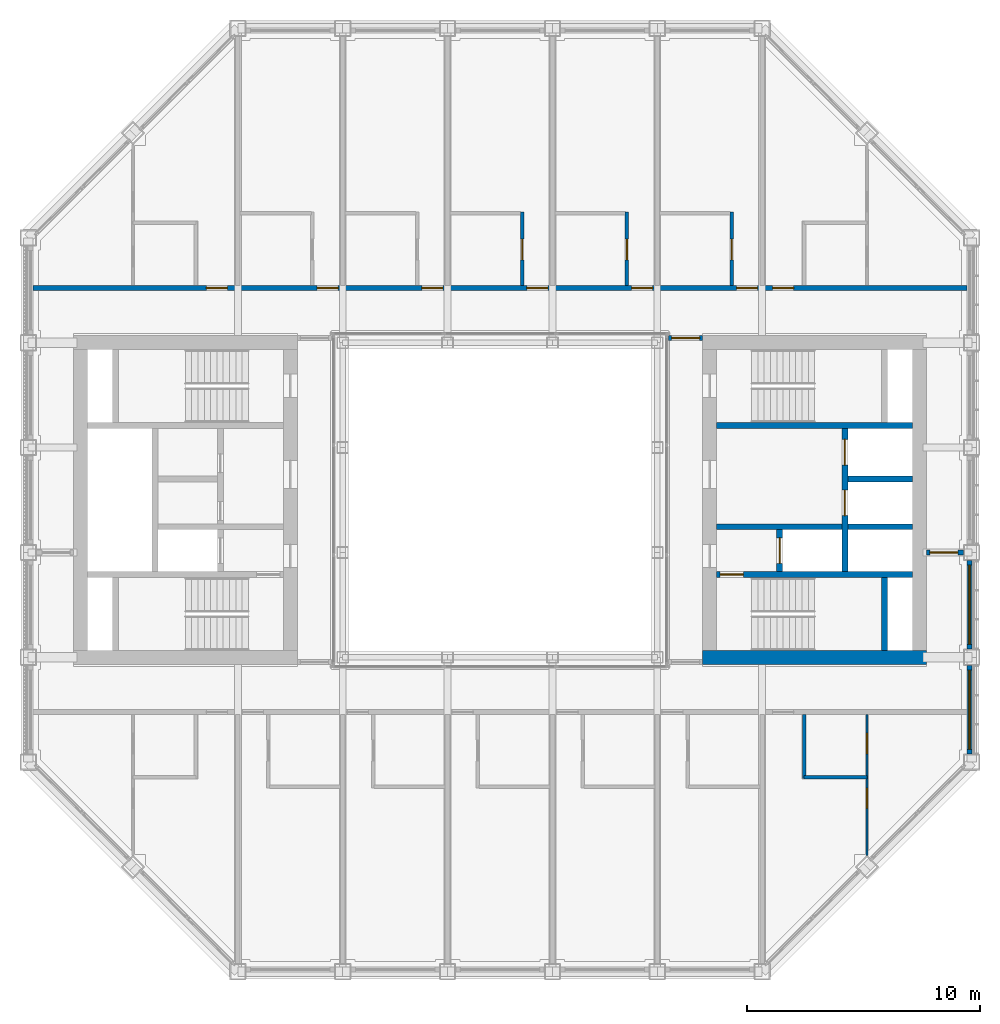
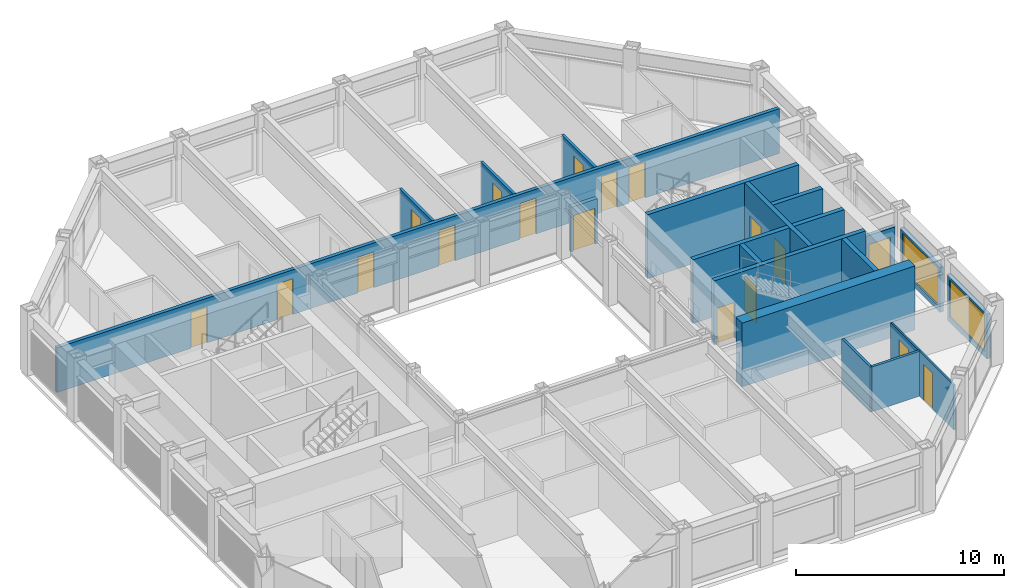
# One storey, part 11 of 18: 20 walls, 18 doors, 2 windows, 20 openings.
"""IFC4 building model written with IfcOpenShell, lengths in metres."""

import ifcopenshell
import ifcopenshell.guid

model = None  # the IFC model being written
_history = None  # IfcOwnerHistory: only IFC2X3 demands one
_inside = {}  # id of a spatial element -> (the spatial element, [elements in it])
_under = {}  # id of a project, library or spatial element -> (it, [spatial elements below it])
_declared = {}  # id of a project -> (the project, [libraries it declares])
_typed = {}  # id of a type object -> (the type object, [elements of that type])
_made_of = {}  # id of a material, layer set ... -> (it, [elements and type objects made of it])


def new_model(schema):
    """Start an empty IFC model of exactly this schema.

    Asked for "IFC4X3", IfcOpenShell would pick the latest addendum, in which some entities
    have other attributes; the version numbers below select the first issue.
    IFC2X3 requires an IfcOwnerHistory on every rooted entity: one is made here for all.
    """
    global model, _history
    if schema == "IFC4X3":
        model = ifcopenshell.file(schema_version=(4, 3, 0, 0))
    else:
        model = ifcopenshell.file(schema=schema)
    _inside.clear()
    _under.clear()
    _declared.clear()
    _typed.clear()
    _made_of.clear()
    _history = None
    if model.schema == "IFC2X3":
        org = make("IfcOrganization", Name="unknown")
        user = make(
            "IfcPersonAndOrganization",
            ThePerson=make("IfcPerson", FamilyName="unknown"),
            TheOrganization=org,
        )
        app = make(
            "IfcApplication",
            ApplicationDeveloper=org,
            Version="unknown",
            ApplicationFullName="unknown",
            ApplicationIdentifier="unknown",
        )
        _history = make(
            "IfcOwnerHistory",
            OwningUser=user,
            OwningApplication=app,
            ChangeAction="ADDED",
            CreationDate=0,
        )
    return model


def make(cls, **values):
    """One entity of the class cls with the attributes given. An attribute that is None is left unset."""
    return model.create_entity(
        cls, **{name: value for name, value in values.items() if value is not None}
    )


def rooted(cls, **values):
    """An entity with a GlobalId (a new one), such as an element, a storey or a relation."""
    return make(cls, GlobalId=ifcopenshell.guid.new(), OwnerHistory=_history, **values)


def si_unit(unit_type, name, prefix=None):
    """IfcSIUnit, for example si_unit("LENGTHUNIT", "METRE", prefix="MILLI")."""
    return make("IfcSIUnit", UnitType=unit_type, Prefix=prefix, Name=name)


def assignment(units):
    """IfcUnitAssignment: the units of a project."""
    return None if units is None else make("IfcUnitAssignment", Units=units)


def point(xyz):
    """IfcCartesianPoint."""
    return None if xyz is None else make("IfcCartesianPoint", Coordinates=xyz)


def direction(xyz):
    """IfcDirection."""
    return None if xyz is None else make("IfcDirection", DirectionRatios=xyz)


def frame(location, z_axis=None, x_axis=None):
    """IfcAxis2Placement3D, a coordinate frame: its origin and axes. An axis left out is left unset."""
    return make(
        "IfcAxis2Placement3D",
        Location=point(location),
        Axis=direction(z_axis),
        RefDirection=direction(x_axis),
    )


def frame_2d(location, x_axis=None):
    """IfcAxis2Placement2D, a coordinate frame in the plane: its origin and x axis."""
    return make(
        "IfcAxis2Placement2D", Location=point(location), RefDirection=direction(x_axis)
    )


def origin():
    """The frame at (0, 0, 0) with its axes left unset."""
    return frame((0.0, 0.0, 0.0))


def place(relative_to, where):
    """IfcLocalPlacement: puts the frame where relative to a parent placement (None: the world)."""
    return make(
        "IfcLocalPlacement", PlacementRelTo=relative_to, RelativePlacement=where
    )


def context(
    kind, dimensions, precision=None, world=None, true_north=None, identifier=None
):
    """IfcGeometricRepresentationContext, for example the 3D "Model" context."""
    return make(
        "IfcGeometricRepresentationContext",
        ContextIdentifier=identifier,
        ContextType=kind,
        CoordinateSpaceDimension=dimensions,
        Precision=precision,
        WorldCoordinateSystem=world,
        TrueNorth=true_north,
    )


def subcontext(parent, identifier, kind, view, scale=None):
    """IfcGeometricRepresentationSubContext, for example "Body" below "Model"."""
    return make(
        "IfcGeometricRepresentationSubContext",
        ContextIdentifier=identifier,
        ContextType=kind,
        ParentContext=parent,
        TargetScale=scale,
        TargetView=view,
    )


def project(units=None, contexts=None):
    """IfcProject with its units and contexts."""
    return rooted(
        "IfcProject",
        Name="project",
        RepresentationContexts=contexts,
        UnitsInContext=assignment(units),
    )


def spatial(cls, under=None, at=None, **own):
    """A site, building, storey or space (cls), placed at a placement, below another one or the project."""
    s = rooted(cls, ObjectPlacement=at, **own)
    if under is not None:
        _under.setdefault(under.id(), (under, []))[1].append(s)
    return s


def profile(cls, at=None, kind="AREA", **sizes):
    """A parametric profile (cls). Its sizes go by their IFC names, for example OverallWidth=200.0."""
    return make(cls, ProfileType=kind, Position=at, **sizes)


def rectangle(**sizes):
    """IfcRectangleProfileDef."""
    return profile("IfcRectangleProfileDef", **sizes)


def extrude(swept, where, along, depth):
    """IfcExtrudedAreaSolid: the profile swept, set in the frame where, extruded along a direction by depth."""
    return make(
        "IfcExtrudedAreaSolid",
        SweptArea=swept,
        Position=where,
        ExtrudedDirection=direction(along),
        Depth=depth,
    )


def shape(context_of_items, identifier, shape_type, items):
    """IfcShapeRepresentation: the items that make up one representation, for example the "Body"."""
    return make(
        "IfcShapeRepresentation",
        ContextOfItems=context_of_items,
        RepresentationIdentifier=identifier,
        RepresentationType=shape_type,
        Items=items,
    )


def material(Name=None, Category=None):
    """IfcMaterial."""
    return make("IfcMaterial", Name=Name, Category=Category)


def layer(
    of_material, thickness, ventilated=None, Name=None, Category=None, Priority=None
):
    """IfcMaterialLayer: one layer of a wall or slab, of a material (None: an air gap)."""
    return make(
        "IfcMaterialLayer",
        Material=of_material,
        LayerThickness=thickness,
        IsVentilated=ventilated,
        Name=Name,
        Category=Category,
        Priority=Priority,
    )


def layer_set(layers, Name=None):
    """IfcMaterialLayerSet."""
    return make("IfcMaterialLayerSet", MaterialLayers=layers, LayerSetName=Name)


def made_of(thing, what):
    """Note that an element or type object is made of a material, layer set ...; save() writes the relation."""
    if what is not None:
        _made_of.setdefault(what.id(), (what, []))[1].append(thing)
    return thing


def type_object(cls, material=None, **own):
    """A type object (cls), such as IfcWallType, which elements share."""
    return made_of(rooted(cls, **own), material)


def element(
    cls,
    number,
    at=None,
    inside=None,
    cuts=None,
    type_object=None,
    material=None,
    context=None,
    identifier="Body",
    shape_type=None,
    held_by="IfcProductDefinitionShape",
    body=None,
    shapes=None,
    **own,
):
    """One element of the class cls, such as IfcWall. Its Tag is "e" and its number.

    at: its placement. inside: the storey or other place that contains it. cuts: it is an
    opening in that element (IfcRelVoidsElement). A single representation is given by context,
    identifier, shape_type and body (its items); several are given by shapes. held_by: the class
    of the entity that holds the representations. save() writes the other relations.
    """
    e = rooted(cls, Tag="e%d" % number, ObjectPlacement=at, **own)
    if body is not None:
        shapes = [shape(context, identifier, shape_type, body)]
    if shapes is not None:
        e.Representation = make(held_by, Representations=shapes)
    if inside is not None:
        _inside.setdefault(inside.id(), (inside, []))[1].append(e)
    if cuts is not None:
        rooted(
            "IfcRelVoidsElement", RelatingBuildingElement=cuts, RelatedOpeningElement=e
        )
    if type_object is not None:
        _typed.setdefault(type_object.id(), (type_object, []))[1].append(e)
    return made_of(e, material)


def fill(opening, filler):
    """IfcRelFillsElement: the door or window that sits in an opening."""
    return rooted(
        "IfcRelFillsElement",
        RelatingOpeningElement=opening,
        RelatedBuildingElement=filler,
    )


def aggregate(whole, parts):
    """IfcRelAggregates: a whole, such as a stair, and the parts it consists of."""
    return rooted("IfcRelAggregates", RelatingObject=whole, RelatedObjects=parts)


def save(model, path):
    """Write the relations noted so far, then the file.

    IfcRelAggregates (storeys below a building ...), IfcRelContainedInSpatialStructure (elements
    in a storey), IfcRelDefinesByType, IfcRelAssociatesMaterial and IfcRelDeclares: one each for
    every whole, place, type object, material and project.
    """
    for whole, parts in _under.values():
        aggregate(whole, parts)
    for where, things in _inside.values():
        rooted(
            "IfcRelContainedInSpatialStructure",
            RelatedElements=things,
            RelatingStructure=where,
        )
    for kind, things in _typed.values():
        rooted("IfcRelDefinesByType", RelatedObjects=things, RelatingType=kind)
    for what, things in _made_of.values():
        rooted("IfcRelAssociatesMaterial", RelatedObjects=things, RelatingMaterial=what)
    for by, libraries in _declared.values():
        rooted("IfcRelDeclares", RelatingContext=by, RelatedDefinitions=libraries)
    model.write(path)


model = new_model("IFC4")

# Units and contexts
model_context = context("Model", 3, precision=1e-05, world=origin(), true_north=direction((0.0, 1.0)))
body_context = subcontext(model_context, "Body", "Model", "MODEL_VIEW")
ifc_project = project(units=[si_unit("LENGTHUNIT", "METRE"), si_unit("AREAUNIT", "SQUARE_METRE"), si_unit("VOLUMEUNIT", "CUBIC_METRE"), si_unit("PLANEANGLEUNIT", "RADIAN"), si_unit("MASSUNIT", "GRAM", prefix="KILO")], contexts=[model_context])

# Site, building, storey
site_placement = place(None, origin())
site = spatial("IfcSite", under=ifc_project, at=site_placement, CompositionType="ELEMENT")
building_placement = place(site_placement, origin())
building = spatial("IfcBuilding", under=site, at=building_placement, Name="Msasa Ring Tower", CompositionType="ELEMENT")
storey_placement = place(building_placement, frame((0.0, 0.0, 200.800048828125)))
storey = spatial("IfcBuildingStorey", under=building, at=storey_placement, Name="L52", CompositionType="ELEMENT", Elevation=200.800048828125)

# Wall
ifc_material_1 = material(Name="Concrete C60/75", Category="concrete")
ifc_layer_1 = layer(ifc_material_1, 0.60009765625)
ifc_layer_set_1 = layer_set([ifc_layer_1], Name="CW3 CORE WALL 600")
wall_type_1 = type_object("IfcWallType", Name="CW3 CORE WALL 600", PredefinedType="SHEAR", material=ifc_layer_set_1)
wall_1_placement = place(storey_placement, frame((8.699951171875, -6.75, 0.0), z_axis=(0.0, 0.0, 1.0), x_axis=(1.0, 0.0, 0.0)))
element("IfcWall", 1, at=wall_1_placement, inside=storey, type_object=wall_type_1, Name="E core wall S L52", PredefinedType="SHEAR", context=body_context, shape_type="SweptSolid", body=[
    extrude(rectangle(XDim=9.60009765625, YDim=0.60009765625, at=frame_2d((4.800048828125, 0.0))), origin(), (0.0, 0.0, 1.0), 3.75),
])

# Wall, opening, door
ifc_material_2 = material(Name="Concrete C60/75", Category="concrete")
ifc_layer_2 = layer(ifc_material_2, 0.25)
ifc_layer_set_2 = layer_set([ifc_layer_2], Name="CW4 CORE INNER WALL 250")
wall_type_2 = type_object("IfcWallType", Name="CW4 CORE INNER WALL 250", PredefinedType="SHEAR", material=ifc_layer_set_2)
wall_2_placement = place(storey_placement, frame((9.300048828125, -3.199951171875, 0.0), z_axis=(0.0, 0.0, 1.0), x_axis=(1.0, 0.0, 0.0)))
wall_2 = element("IfcWall", 2, at=wall_2_placement, inside=storey, type_object=wall_type_2, Name="E core wall STAIRA L52", PredefinedType="SHEAR", context=body_context, shape_type="SweptSolid", body=[
    extrude(rectangle(XDim=8.39990234375, YDim=0.25, at=frame_2d((4.199951171875, 0.0))), origin(), (0.0, 0.0, 1.0), 3.75),
])
opening_1_placement = place(wall_2_placement, frame((0.14990234375, 0.0, 0.0)))
opening_1 = element("IfcOpeningElement", 3, at=opening_1_placement, cuts=wall_2, Name="Opening SA-030", PredefinedType="OPENING", context=body_context, shape_type="SweptSolid", body=[
    extrude(rectangle(XDim=1.0, YDim=2.10009765625, at=frame_2d((0.5, 1.050048828125))), frame((0.0, 0.135009765625, 0.0), z_axis=(0.0, -1.0, 0.0), x_axis=(1.0, 0.0, 0.0)), (0.0, 0.0, 1.0), 0.27001953125),
])
ifc_material_3 = material(Name="Timber door leaf in a steel frame", Category="steel")
door_type_1 = type_object("IfcDoorType", Name="D6 STAIR DOOR 1000x2100", OperationType="SINGLE_SWING_LEFT", PredefinedType="DOOR", material=ifc_material_3)
door_1_placement = place(opening_1_placement, origin())
door_1 = element("IfcDoor", 4, at=door_1_placement, inside=storey, type_object=door_type_1, Name="Door L52-ESTA", OperationType="SINGLE_SWING_LEFT", OverallHeight=2.10009765625, OverallWidth=1.0, PredefinedType="DOOR", context=body_context, shape_type="SweptSolid", body=[
    extrude(rectangle(XDim=1.0, YDim=2.10009765625, at=frame_2d((0.5, 1.050048828125))), frame((0.0, 0.02490234375, 0.0), z_axis=(0.0, -1.0, 0.0), x_axis=(1.0, 0.0, 0.0)), (0.0, 0.0, 1.0), 0.050048828125),
])
fill(opening_1, door_1)

# Walls
wall_3_placement = place(storey_placement, frame((9.300048828125, 3.199951171875, 0.0), z_axis=(0.0, 0.0, 1.0), x_axis=(1.0, 0.0, 0.0)))
element("IfcWall", 5, at=wall_3_placement, inside=storey, type_object=wall_type_2, Name="E core wall STAIRB L52", PredefinedType="SHEAR", context=body_context, shape_type="SweptSolid", body=[
    extrude(rectangle(XDim=8.39990234375, YDim=0.25, at=frame_2d((4.199951171875, 0.0))), origin(), (0.0, 0.0, 1.0), 3.75),
])
wall_4_placement = place(storey_placement, frame((16.5, -6.449951171875, 0.0), z_axis=(0.0, 0.0, 1.0), x_axis=(0.0, 1.0, 0.0)))
element("IfcWall", 6, at=wall_4_placement, inside=storey, type_object=wall_type_2, Name="E core wall RISERA L52", PredefinedType="SHEAR", context=body_context, shape_type="SweptSolid", body=[
    extrude(rectangle(XDim=3.125, YDim=0.25, at=frame_2d((1.5625, 0.0))), origin(), (0.0, 0.0, 1.0), 3.75),
])
wall_5_placement = place(storey_placement, frame((9.300048828125, -1.14990234375, 0.0), z_axis=(0.0, 0.0, 1.0), x_axis=(1.0, 0.0, 0.0)))
element("IfcWall", 7, at=wall_5_placement, inside=storey, type_object=wall_type_2, Name="E core wall FFL L52", PredefinedType="SHEAR", context=body_context, shape_type="SweptSolid", body=[
    extrude(rectangle(XDim=5.375, YDim=0.25, at=frame_2d((2.6875, 0.0))), origin(), (0.0, 0.0, 1.0), 3.75),
])

# Wall, opening, door
wall_6_placement = place(storey_placement, frame((12.0, -3.074951171875, 0.0), z_axis=(0.0, 0.0, 1.0), x_axis=(0.0, 1.0, 0.0)))
wall_6 = element("IfcWall", 8, at=wall_6_placement, inside=storey, type_object=wall_type_2, Name="E core wall LOBBY L52", PredefinedType="SHEAR", context=body_context, shape_type="SweptSolid", body=[
    extrude(rectangle(XDim=1.800048828125, YDim=0.25, at=frame_2d((0.89990234375, 0.0))), origin(), (0.0, 0.0, 1.0), 3.75),
])
opening_2_placement = place(wall_6_placement, frame((0.35009765625, 0.0, 0.0)))
opening_2 = element("IfcOpeningElement", 9, at=opening_2_placement, cuts=wall_6, Name="Opening LD1", PredefinedType="OPENING", context=body_context, shape_type="SweptSolid", body=[
    extrude(rectangle(XDim=1.10009765625, YDim=2.10009765625, at=frame_2d((0.550048828125, 1.050048828125))), frame((0.0, 0.135009765625, 0.0), z_axis=(0.0, -1.0, 0.0), x_axis=(1.0, 0.0, 0.0)), (0.0, 0.0, 1.0), 0.27001953125),
])
ifc_material_4 = material(Name="Stainless steel lift landing door", Category="steel")
door_type_2 = type_object("IfcDoorType", Name="LD1 LIFT LANDING DOOR 1100x2100", OperationType="DOUBLE_DOOR_SLIDING", PredefinedType="DOOR", material=ifc_material_4)
door_2_placement = place(opening_2_placement, origin())
door_2 = element("IfcDoor", 10, at=door_2_placement, inside=storey, type_object=door_type_2, Name="Lift landing door FL-E L52", OperationType="DOUBLE_DOOR_SLIDING", OverallHeight=2.10009765625, OverallWidth=1.10009765625, PredefinedType="DOOR", context=body_context, shape_type="SweptSolid", body=[
    extrude(rectangle(XDim=1.10009765625, YDim=2.10009765625, at=frame_2d((0.550048828125, 1.050048828125))), frame((0.0, 0.02490234375, 0.0), z_axis=(0.0, -1.0, 0.0), x_axis=(1.0, 0.0, 0.0)), (0.0, 0.0, 1.0), 0.050048828125),
])
fill(opening_2, door_2)

# Wall, openings, doors
wall_7_placement = place(storey_placement, frame((14.800048828125, -3.074951171875, 0.0), z_axis=(0.0, 0.0, 1.0), x_axis=(0.0, 1.0, 0.0)))
wall_7 = element("IfcWall", 11, at=wall_7_placement, inside=storey, type_object=wall_type_2, Name="E core wall SHAFT L52", PredefinedType="SHEAR", context=body_context, shape_type="SweptSolid", body=[
    extrude(rectangle(XDim=6.14990234375, YDim=0.25, at=frame_2d((3.074951171875, 0.0))), origin(), (0.0, 0.0, 1.0), 3.75),
])
opening_3_placement = place(wall_7_placement, frame((2.39990234375, 0.0, 0.0)))
opening_3 = element("IfcOpeningElement", 12, at=opening_3_placement, cuts=wall_7, Name="Opening LD1", PredefinedType="OPENING", context=body_context, shape_type="SweptSolid", body=[
    extrude(rectangle(XDim=1.10009765625, YDim=2.10009765625, at=frame_2d((0.550048828125, 1.050048828125))), frame((0.0, 0.135009765625, 0.0), z_axis=(0.0, -1.0, 0.0), x_axis=(1.0, 0.0, 0.0)), (0.0, 0.0, 1.0), 0.27001953125),
])
opening_4_placement = place(wall_7_placement, frame((4.574951171875, 0.0, 0.0)))
opening_4 = element("IfcOpeningElement", 13, at=opening_4_placement, cuts=wall_7, Name="Opening LD1", PredefinedType="OPENING", context=body_context, shape_type="SweptSolid", body=[
    extrude(rectangle(XDim=1.10009765625, YDim=2.10009765625, at=frame_2d((0.550048828125, 1.050048828125))), frame((0.0, 0.135009765625, 0.0), z_axis=(0.0, -1.0, 0.0), x_axis=(1.0, 0.0, 0.0)), (0.0, 0.0, 1.0), 0.27001953125),
])
door_3_placement = place(opening_3_placement, origin())
door_3 = element("IfcDoor", 14, at=door_3_placement, inside=storey, type_object=door_type_2, Name="Lift landing door PL-H1 L52", OperationType="DOUBLE_DOOR_SLIDING", OverallHeight=2.10009765625, OverallWidth=1.10009765625, PredefinedType="DOOR", context=body_context, shape_type="SweptSolid", body=[
    extrude(rectangle(XDim=1.10009765625, YDim=2.10009765625, at=frame_2d((0.550048828125, 1.050048828125))), frame((0.0, 0.02490234375, 0.0), z_axis=(0.0, -1.0, 0.0), x_axis=(1.0, 0.0, 0.0)), (0.0, 0.0, 1.0), 0.050048828125),
])
fill(opening_3, door_3)
door_4_placement = place(opening_4_placement, origin())
door_4 = element("IfcDoor", 15, at=door_4_placement, inside=storey, type_object=door_type_2, Name="Lift landing door PL-H2 L52", OperationType="DOUBLE_DOOR_SLIDING", OverallHeight=2.10009765625, OverallWidth=1.10009765625, PredefinedType="DOOR", context=body_context, shape_type="SweptSolid", body=[
    extrude(rectangle(XDim=1.10009765625, YDim=2.10009765625, at=frame_2d((0.550048828125, 1.050048828125))), frame((0.0, 0.02490234375, 0.0), z_axis=(0.0, -1.0, 0.0), x_axis=(1.0, 0.0, 0.0)), (0.0, 0.0, 1.0), 0.050048828125),
])
fill(opening_4, door_4)

# Walls
for number, where, z_axis, x_axis, name in (
    (16, (14.925048828125, -1.14990234375, 0.0), (0.0, 0.0, 1.0), (1.0, 0.0, 0.0), "E core wall HSEP L52"),
    (17, (14.925048828125, 0.89990234375, 0.0), (0.0, 0.0, 1.0), (1.0, 0.0, 0.0), "E core wall HLIFT L52"),
):
    element("IfcWall", number, at=place(storey_placement, frame(where, z_axis=z_axis, x_axis=x_axis)), inside=storey, type_object=wall_type_2, Name=name, PredefinedType="SHEAR", context=body_context, shape_type="SweptSolid", body=[
        extrude(rectangle(XDim=2.77490234375, YDim=0.25, at=frame_2d((1.387451171875, 0.0))), origin(), (0.0, 0.0, 1.0), 3.75),
    ])

# Wall, opening, window
ifc_material_5 = material(Name="Terracotta rainscreen on blockwork", Category="masonry")
ifc_layer_3 = layer(ifc_material_5, 0.199951171875)
ifc_layer_set_3 = layer_set([ifc_layer_3], Name="FW1 TERRACOTTA-LINED INFILL BAY WALL 200")
wall_type_3 = type_object("IfcWallType", Name="FW1 TERRACOTTA-LINED INFILL BAY WALL 200", PredefinedType="SOLIDWALL", material=ifc_layer_set_3)
wall_8_placement = place(storey_placement, frame((20.14990234375, -10.89501953125, 0.0), z_axis=(0.0, 0.0, 1.0), x_axis=(0.0, 1.0, 0.0)))
wall_8 = element("IfcWall", 18, at=wall_8_placement, inside=storey, type_object=wall_type_3, Name="Infill bay wall E L52 07", PredefinedType="SOLIDWALL", context=body_context, shape_type="SweptSolid", body=[
    extrude(rectangle(XDim=3.7900390625, YDim=0.199951171875, at=frame_2d((1.89501953125, 0.0))), origin(), (0.0, 0.0, 1.0), 2.62890625),
])
opening_5_placement = place(wall_8_placement, frame((0.195068359375, 0.0, 0.300048828125)))
opening_5 = element("IfcOpeningElement", 19, at=opening_5_placement, cuts=wall_8, Name="Opening WN3", PredefinedType="OPENING", context=body_context, shape_type="SweptSolid", body=[
    extrude(rectangle(XDim=3.39990234375, YDim=2.178955078125, at=frame_2d((1.699951171875, 1.08935546875))), frame((0.0, 0.10986328125, 0.0), z_axis=(0.0, -1.0, 0.0), x_axis=(1.0, 0.0, 0.0)), (0.0, 0.0, 1.0), 0.219970703125),
])
ifc_material_6 = material(Name="Aluminium frame with clear glass", Category="aluminium")
window_type = type_object("IfcWindowType", Name="WN3 SUITE WINDOW 3400x2179", PartitioningType="SINGLE_PANEL", PredefinedType="WINDOW", material=ifc_material_6)
window_1_placement = place(opening_5_placement, origin())
window_1 = element("IfcWindow", 20, at=window_1_placement, inside=storey, type_object=window_type, Name="Window E L52 07", OverallHeight=2.178955078125, OverallWidth=3.39990234375, PartitioningType="SINGLE_PANEL", PredefinedType="WINDOW", context=body_context, shape_type="SweptSolid", body=[
    extrude(rectangle(XDim=3.39990234375, YDim=2.178955078125, at=frame_2d((1.699951171875, 1.08935546875))), frame((0.0, 0.030029296875, 0.0), z_axis=(0.0, -1.0, 0.0), x_axis=(1.0, 0.0, 0.0)), (0.0, 0.0, 1.0), 0.06005859375),
])
fill(opening_5, window_1)

wall_9_placement = place(storey_placement, frame((20.14990234375, -6.39501953125, 0.0), z_axis=(0.0, 0.0, 1.0), x_axis=(0.0, 1.0, 0.0)))
wall_9 = element("IfcWall", 21, at=wall_9_placement, inside=storey, type_object=wall_type_3, Name="Infill bay wall E L52 08", PredefinedType="SOLIDWALL", context=body_context, shape_type="SweptSolid", body=[
    extrude(rectangle(XDim=3.7900390625, YDim=0.199951171875, at=frame_2d((1.89501953125, 0.0))), origin(), (0.0, 0.0, 1.0), 2.62890625),
])
opening_6_placement = place(wall_9_placement, frame((0.195068359375, 0.0, 0.300048828125)))
opening_6 = element("IfcOpeningElement", 22, at=opening_6_placement, cuts=wall_9, Name="Opening WN3", PredefinedType="OPENING", context=body_context, shape_type="SweptSolid", body=[
    extrude(rectangle(XDim=3.39990234375, YDim=2.178955078125, at=frame_2d((1.699951171875, 1.08935546875))), frame((0.0, 0.10986328125, 0.0), z_axis=(0.0, -1.0, 0.0), x_axis=(1.0, 0.0, 0.0)), (0.0, 0.0, 1.0), 0.219970703125),
])
window_2_placement = place(opening_6_placement, origin())
window_2 = element("IfcWindow", 23, at=window_2_placement, inside=storey, type_object=window_type, Name="Window E L52 08", OverallHeight=2.178955078125, OverallWidth=3.39990234375, PartitioningType="SINGLE_PANEL", PredefinedType="WINDOW", context=body_context, shape_type="SweptSolid", body=[
    extrude(rectangle(XDim=3.39990234375, YDim=2.178955078125, at=frame_2d((1.699951171875, 1.08935546875))), frame((0.0, 0.030029296875, 0.0), z_axis=(0.0, -1.0, 0.0), x_axis=(1.0, 0.0, 0.0)), (0.0, 0.0, 1.0), 0.06005859375),
])
fill(opening_6, window_2)

# Wall, opening, door
ifc_material_7 = material(Name="Concrete blockwork", Category="masonry")
ifc_layer_4 = layer(ifc_material_7, 0.199951171875)
ifc_layer_set_4 = layer_set([ifc_layer_4], Name="PT1 CORRIDOR WALL 200")
wall_type_4 = type_object("IfcWallType", Name="PT1 CORRIDOR WALL 200", PredefinedType="PARTITIONING", material=ifc_layer_set_4)
wall_10_placement = place(storey_placement, frame((18.300048828125, -2.25, 0.0), z_axis=(0.0, 0.0, 1.0), x_axis=(1.0, 0.0, 0.0)))
wall_10 = element("IfcWall", 24, at=wall_10_placement, inside=storey, type_object=wall_type_4, Name="Corridor wall L52-WSE", PredefinedType="PARTITIONING", context=body_context, shape_type="SweptSolid", body=[
    extrude(rectangle(XDim=1.599853515625, YDim=0.199951171875, at=frame_2d((0.7998046875, 0.0))), origin(), (0.0, 0.0, 1.0), 2.62890625),
])
opening_7_placement = place(wall_10_placement, frame((0.14990234375, 0.0, 0.0)))
opening_7 = element("IfcOpeningElement", 25, at=opening_7_placement, cuts=wall_10, Name="Opening SA-026", PredefinedType="OPENING", context=body_context, shape_type="SweptSolid", body=[
    extrude(rectangle(XDim=1.199951171875, YDim=2.10009765625, at=frame_2d((0.60009765625, 1.050048828125))), frame((0.0, 0.10986328125, 0.0), z_axis=(0.0, -1.0, 0.0), x_axis=(1.0, 0.0, 0.0)), (0.0, 0.0, 1.0), 0.219970703125),
])
ifc_material_8 = material(Name="Timber door leaf in a steel frame", Category="steel")
door_type_3 = type_object("IfcDoorType", Name="D25 CORRIDOR PAIR OF SMOKE DOORS 1200x2100", OperationType="DOUBLE_DOOR_DOUBLE_SWING", PredefinedType="DOOR", material=ifc_material_8)
door_5_placement = place(opening_7_placement, origin())
door_5 = element("IfcDoor", 26, at=door_5_placement, inside=storey, type_object=door_type_3, Name="Door L52-WSE", OperationType="DOUBLE_DOOR_DOUBLE_SWING", OverallHeight=2.10009765625, OverallWidth=1.199951171875, PredefinedType="DOOR", context=body_context, shape_type="SweptSolid", body=[
    extrude(rectangle(XDim=1.199951171875, YDim=2.10009765625, at=frame_2d((0.60009765625, 1.050048828125))), frame((0.0, 0.02490234375, 0.0), z_axis=(0.0, -1.0, 0.0), x_axis=(1.0, 0.0, 0.0)), (0.0, 0.0, 1.0), 0.050048828125),
])
fill(opening_7, door_5)

wall_11_placement = place(storey_placement, frame((7.22998046875, 6.949951171875, 0.0), z_axis=(0.0, 0.0, 1.0), x_axis=(1.0, 0.0, 0.0)))
wall_11 = element("IfcWall", 27, at=wall_11_placement, inside=storey, type_object=wall_type_4, Name="Corridor wall L52-SDEN", PredefinedType="PARTITIONING", context=body_context, shape_type="SweptSolid", body=[
    extrude(rectangle(XDim=1.469970703125, YDim=0.199951171875, at=frame_2d((0.73486328125, 0.0))), origin(), (0.0, 0.0, 1.0), 2.62890625),
])
opening_8_placement = place(wall_11_placement, frame((0.135009765625, 0.0, 0.0)))
opening_8 = element("IfcOpeningElement", 28, at=opening_8_placement, cuts=wall_11, Name="Opening SA-018", PredefinedType="OPENING", context=body_context, shape_type="SweptSolid", body=[
    extrude(rectangle(XDim=1.199951171875, YDim=2.10009765625, at=frame_2d((0.60009765625, 1.050048828125))), frame((0.0, 0.10986328125, 0.0), z_axis=(0.0, -1.0, 0.0), x_axis=(1.0, 0.0, 0.0)), (0.0, 0.0, 1.0), 0.219970703125),
])
door_6_placement = place(opening_8_placement, origin())
door_6 = element("IfcDoor", 29, at=door_6_placement, inside=storey, type_object=door_type_3, Name="Door L52-SDEN", OperationType="DOUBLE_DOOR_DOUBLE_SWING", OverallHeight=2.10009765625, OverallWidth=1.199951171875, PredefinedType="DOOR", context=body_context, shape_type="SweptSolid", body=[
    extrude(rectangle(XDim=1.199951171875, YDim=2.10009765625, at=frame_2d((0.60009765625, 1.050048828125))), frame((0.0, 0.02490234375, 0.0), z_axis=(0.0, -1.0, 0.0), x_axis=(1.0, 0.0, 0.0)), (0.0, 0.0, 1.0), 0.050048828125),
])
fill(opening_8, door_6)

# Wall, openings, doors
wall_12_placement = place(storey_placement, frame((-20.050048828125, 9.10009765625, 0.0), z_axis=(0.0, 0.0, 1.0), x_axis=(1.0, 0.0, 0.0)))
wall_12 = element("IfcWall", 30, at=wall_12_placement, inside=storey, type_object=wall_type_4, Name="Corridor wall L52-CORRN0", PredefinedType="PARTITIONING", context=body_context, shape_type="SweptSolid", body=[
    extrude(rectangle(XDim=40.10009765625, YDim=0.199951171875, at=frame_2d((20.050048828125, 0.0))), origin(), (0.0, 0.0, 1.0), 2.62890625),
])
opening_9_placement = place(wall_12_placement, frame((12.199951171875, 0.0, 0.0)))
opening_9 = element("IfcOpeningElement", 31, at=opening_9_placement, cuts=wall_12, Name="Opening SA-011", PredefinedType="OPENING", context=body_context, shape_type="SweptSolid", body=[
    extrude(rectangle(XDim=0.89990234375, YDim=2.10009765625, at=frame_2d((0.449951171875, 1.050048828125))), frame((0.0, 0.10986328125, 0.0), z_axis=(0.0, -1.0, 0.0), x_axis=(1.0, 0.0, 0.0)), (0.0, 0.0, 1.0), 0.219970703125),
])
opening_10_placement = place(wall_12_placement, frame((16.699951171875, 0.0, 0.0)))
opening_10 = element("IfcOpeningElement", 32, at=opening_10_placement, cuts=wall_12, Name="Opening SA-012", PredefinedType="OPENING", context=body_context, shape_type="SweptSolid", body=[
    extrude(rectangle(XDim=0.89990234375, YDim=2.10009765625, at=frame_2d((0.449951171875, 1.050048828125))), frame((0.0, 0.10986328125, 0.0), z_axis=(0.0, -1.0, 0.0), x_axis=(1.0, 0.0, 0.0)), (0.0, 0.0, 1.0), 0.219970703125),
])
opening_11_placement = place(wall_12_placement, frame((21.199951171875, 0.0, 0.0)))
opening_11 = element("IfcOpeningElement", 33, at=opening_11_placement, cuts=wall_12, Name="Opening SA-013", PredefinedType="OPENING", context=body_context, shape_type="SweptSolid", body=[
    extrude(rectangle(XDim=0.89990234375, YDim=2.10009765625, at=frame_2d((0.449951171875, 1.050048828125))), frame((0.0, 0.10986328125, 0.0), z_axis=(0.0, -1.0, 0.0), x_axis=(1.0, 0.0, 0.0)), (0.0, 0.0, 1.0), 0.219970703125),
])
opening_12_placement = place(wall_12_placement, frame((25.699951171875, 0.0, 0.0)))
opening_12 = element("IfcOpeningElement", 34, at=opening_12_placement, cuts=wall_12, Name="Opening SA-014", PredefinedType="OPENING", context=body_context, shape_type="SweptSolid", body=[
    extrude(rectangle(XDim=0.89990234375, YDim=2.10009765625, at=frame_2d((0.449951171875, 1.050048828125))), frame((0.0, 0.10986328125, 0.0), z_axis=(0.0, -1.0, 0.0), x_axis=(1.0, 0.0, 0.0)), (0.0, 0.0, 1.0), 0.219970703125),
])
opening_13_placement = place(wall_12_placement, frame((30.199951171875, 0.0, 0.0)))
opening_13 = element("IfcOpeningElement", 35, at=opening_13_placement, cuts=wall_12, Name="Opening SA-015", PredefinedType="OPENING", context=body_context, shape_type="SweptSolid", body=[
    extrude(rectangle(XDim=0.89990234375, YDim=2.10009765625, at=frame_2d((0.449951171875, 1.050048828125))), frame((0.0, 0.10986328125, 0.0), z_axis=(0.0, -1.0, 0.0), x_axis=(1.0, 0.0, 0.0)), (0.0, 0.0, 1.0), 0.219970703125),
])
opening_14_placement = place(wall_12_placement, frame((31.75, 0.0, 0.0)))
opening_14 = element("IfcOpeningElement", 36, at=opening_14_placement, cuts=wall_12, Name="Opening SA-016", PredefinedType="OPENING", context=body_context, shape_type="SweptSolid", body=[
    extrude(rectangle(XDim=0.89990234375, YDim=2.10009765625, at=frame_2d((0.449951171875, 1.050048828125))), frame((0.0, 0.10986328125, 0.0), z_axis=(0.0, -1.0, 0.0), x_axis=(1.0, 0.0, 0.0)), (0.0, 0.0, 1.0), 0.219970703125),
])
opening_15_placement = place(wall_12_placement, frame((7.449951171875, 0.0, 0.0)))
opening_15 = element("IfcOpeningElement", 37, at=opening_15_placement, cuts=wall_12, Name="Opening SA-010", PredefinedType="OPENING", context=body_context, shape_type="SweptSolid", body=[
    extrude(rectangle(XDim=0.89990234375, YDim=2.10009765625, at=frame_2d((0.449951171875, 1.050048828125))), frame((0.0, 0.10986328125, 0.0), z_axis=(0.0, -1.0, 0.0), x_axis=(1.0, 0.0, 0.0)), (0.0, 0.0, 1.0), 0.219970703125),
])
ifc_material_9 = material(Name="Timber door leaf in a steel frame", Category="steel")
door_type_4 = type_object("IfcDoorType", Name="D1 SINGLE DOOR TO CORRIDOR 900x2100", OperationType="SINGLE_SWING_LEFT", PredefinedType="DOOR", material=ifc_material_9)
door_7_placement = place(opening_9_placement, origin())
door_7 = element("IfcDoor", 38, at=door_7_placement, inside=storey, type_object=door_type_4, Name="Door L52-JN00", OperationType="SINGLE_SWING_LEFT", OverallHeight=2.10009765625, OverallWidth=0.89990234375, PredefinedType="DOOR", context=body_context, shape_type="SweptSolid", body=[
    extrude(rectangle(XDim=0.89990234375, YDim=2.10009765625, at=frame_2d((0.449951171875, 1.050048828125))), frame((0.0, 0.02490234375, 0.0), z_axis=(0.0, -1.0, 0.0), x_axis=(1.0, 0.0, 0.0)), (0.0, 0.0, 1.0), 0.050048828125),
])
fill(opening_9, door_7)
door_8_placement = place(opening_10_placement, origin())
door_8 = element("IfcDoor", 39, at=door_8_placement, inside=storey, type_object=door_type_4, Name="Door L52-JN01", OperationType="SINGLE_SWING_LEFT", OverallHeight=2.10009765625, OverallWidth=0.89990234375, PredefinedType="DOOR", context=body_context, shape_type="SweptSolid", body=[
    extrude(rectangle(XDim=0.89990234375, YDim=2.10009765625, at=frame_2d((0.449951171875, 1.050048828125))), frame((0.0, 0.02490234375, 0.0), z_axis=(0.0, -1.0, 0.0), x_axis=(1.0, 0.0, 0.0)), (0.0, 0.0, 1.0), 0.050048828125),
])
fill(opening_10, door_8)
door_9_placement = place(opening_11_placement, origin())
door_9 = element("IfcDoor", 40, at=door_9_placement, inside=storey, type_object=door_type_4, Name="Door L52-JN02", OperationType="SINGLE_SWING_RIGHT", OverallHeight=2.10009765625, OverallWidth=0.89990234375, PredefinedType="DOOR", context=body_context, shape_type="SweptSolid", body=[
    extrude(rectangle(XDim=0.89990234375, YDim=2.10009765625, at=frame_2d((0.449951171875, 1.050048828125))), frame((0.0, 0.02490234375, 0.0), z_axis=(0.0, -1.0, 0.0), x_axis=(1.0, 0.0, 0.0)), (0.0, 0.0, 1.0), 0.050048828125),
])
fill(opening_11, door_9)
door_10_placement = place(opening_12_placement, origin())
door_10 = element("IfcDoor", 41, at=door_10_placement, inside=storey, type_object=door_type_4, Name="Door L52-JN03", OperationType="SINGLE_SWING_RIGHT", OverallHeight=2.10009765625, OverallWidth=0.89990234375, PredefinedType="DOOR", context=body_context, shape_type="SweptSolid", body=[
    extrude(rectangle(XDim=0.89990234375, YDim=2.10009765625, at=frame_2d((0.449951171875, 1.050048828125))), frame((0.0, 0.02490234375, 0.0), z_axis=(0.0, -1.0, 0.0), x_axis=(1.0, 0.0, 0.0)), (0.0, 0.0, 1.0), 0.050048828125),
])
fill(opening_12, door_10)
door_11_placement = place(opening_13_placement, origin())
door_11 = element("IfcDoor", 42, at=door_11_placement, inside=storey, type_object=door_type_4, Name="Door L52-JN04", OperationType="SINGLE_SWING_RIGHT", OverallHeight=2.10009765625, OverallWidth=0.89990234375, PredefinedType="DOOR", context=body_context, shape_type="SweptSolid", body=[
    extrude(rectangle(XDim=0.89990234375, YDim=2.10009765625, at=frame_2d((0.449951171875, 1.050048828125))), frame((0.0, 0.02490234375, 0.0), z_axis=(0.0, -1.0, 0.0), x_axis=(1.0, 0.0, 0.0)), (0.0, 0.0, 1.0), 0.050048828125),
])
fill(opening_13, door_11)
ifc_material_10 = material(Name="Timber door leaf in a steel frame", Category="steel")
door_type_5 = type_object("IfcDoorType", Name="D2 ENTRANCE DOOR 900x2100", OperationType="SINGLE_SWING_LEFT", PredefinedType="DOOR", material=ifc_material_10)
door_12_placement = place(opening_14_placement, origin())
door_12 = element("IfcDoor", 43, at=door_12_placement, inside=storey, type_object=door_type_5, Name="Door L52-CSNE", OperationType="SINGLE_SWING_RIGHT", OverallHeight=2.10009765625, OverallWidth=0.89990234375, PredefinedType="DOOR", context=body_context, shape_type="SweptSolid", body=[
    extrude(rectangle(XDim=0.89990234375, YDim=2.10009765625, at=frame_2d((0.449951171875, 1.050048828125))), frame((0.0, 0.02490234375, 0.0), z_axis=(0.0, -1.0, 0.0), x_axis=(1.0, 0.0, 0.0)), (0.0, 0.0, 1.0), 0.050048828125),
])
fill(opening_14, door_12)
door_13_placement = place(opening_15_placement, origin())
door_13 = element("IfcDoor", 44, at=door_13_placement, inside=storey, type_object=door_type_5, Name="Door L52-CSNW", OperationType="SINGLE_SWING_LEFT", OverallHeight=2.10009765625, OverallWidth=0.89990234375, PredefinedType="DOOR", context=body_context, shape_type="SweptSolid", body=[
    extrude(rectangle(XDim=0.89990234375, YDim=2.10009765625, at=frame_2d((0.449951171875, 1.050048828125))), frame((0.0, 0.02490234375, 0.0), z_axis=(0.0, -1.0, 0.0), x_axis=(1.0, 0.0, 0.0)), (0.0, 0.0, 1.0), 0.050048828125),
])
fill(opening_15, door_13)

ifc_material_11 = material(Name="Gypsum board on steel studs", Category="steel")
ifc_layer_5 = layer(ifc_material_11, 0.10009765625)
ifc_layer_set_5 = layer_set([ifc_layer_5], Name="PT2 STUD PARTITION 100")
wall_type_5 = type_object("IfcWallType", Name="PT2 STUD PARTITION 100", PredefinedType="PARTITIONING", material=ifc_layer_set_5)
wall_13_placement = place(storey_placement, frame((15.75, -15.2548828125, 0.0), z_axis=(0.0, 0.0, 1.0), x_axis=(0.0, 1.0, 0.0)))
wall_13 = element("IfcWall", 45, at=wall_13_placement, inside=storey, type_object=wall_type_5, Name="Partition L52-CSSEP1", PredefinedType="PARTITIONING", context=body_context, shape_type="SweptSolid", body=[
    extrude(rectangle(XDim=6.054931640625, YDim=0.10009765625, at=frame_2d((3.02734375, 0.0))), origin(), (0.0, 0.0, 1.0), 2.62890625),
])
opening_16_placement = place(wall_13_placement, frame((2.030029296875, 0.0, 0.0)))
opening_16 = element("IfcOpeningElement", 46, at=opening_16_placement, cuts=wall_13, Name="Opening SA-048", PredefinedType="OPENING", context=body_context, shape_type="SweptSolid", body=[
    extrude(rectangle(XDim=0.85009765625, YDim=2.10009765625, at=frame_2d((0.425048828125, 1.050048828125))), frame((0.0, 0.06005859375, 0.0), z_axis=(0.0, -1.0, 0.0), x_axis=(1.0, 0.0, 0.0)), (0.0, 0.0, 1.0), 0.1201171875),
])
opening_17_placement = place(wall_13_placement, frame((4.35498046875, 0.0, 0.0)))
opening_17 = element("IfcOpeningElement", 47, at=opening_17_placement, cuts=wall_13, Name="Opening SA-041", PredefinedType="OPENING", context=body_context, shape_type="SweptSolid", body=[
    extrude(rectangle(XDim=0.89990234375, YDim=2.10009765625, at=frame_2d((0.449951171875, 1.050048828125))), frame((0.0, 0.06005859375, 0.0), z_axis=(0.0, -1.0, 0.0), x_axis=(1.0, 0.0, 0.0)), (0.0, 0.0, 1.0), 0.1201171875),
])
ifc_material_12 = material(Name="Timber door leaf in a steel frame", Category="steel")
door_type_6 = type_object("IfcDoorType", Name="D14 BEDROOM DOOR 850x2100", OperationType="SINGLE_SWING_LEFT", PredefinedType="DOOR", material=ifc_material_12)
door_14_placement = place(opening_16_placement, origin())
door_14 = element("IfcDoor", 48, at=door_14_placement, inside=storey, type_object=door_type_6, Name="Door L52-CSSER1", OperationType="SINGLE_SWING_LEFT", OverallHeight=2.10009765625, OverallWidth=0.85009765625, PredefinedType="DOOR", context=body_context, shape_type="SweptSolid", body=[
    extrude(rectangle(XDim=0.85009765625, YDim=2.10009765625, at=frame_2d((0.425048828125, 1.050048828125))), frame((0.0, 0.02490234375, 0.0), z_axis=(0.0, -1.0, 0.0), x_axis=(1.0, 0.0, 0.0)), (0.0, 0.0, 1.0), 0.050048828125),
])
fill(opening_16, door_14)
ifc_material_13 = material(Name="Timber door leaf in a steel frame", Category="steel")
door_type_7 = type_object("IfcDoorType", Name="D3 BATHROOM DOOR 900x2100", OperationType="SINGLE_SWING_LEFT", PredefinedType="DOOR", material=ifc_material_13)
door_15_placement = place(opening_17_placement, origin())
door_15 = element("IfcDoor", 49, at=door_15_placement, inside=storey, type_object=door_type_7, Name="Door L52-CSSEB1", OperationType="SINGLE_SWING_RIGHT", OverallHeight=2.10009765625, OverallWidth=0.89990234375, PredefinedType="DOOR", context=body_context, shape_type="SweptSolid", body=[
    extrude(rectangle(XDim=0.89990234375, YDim=2.10009765625, at=frame_2d((0.449951171875, 1.050048828125))), frame((0.0, 0.02490234375, 0.0), z_axis=(0.0, -1.0, 0.0), x_axis=(1.0, 0.0, 0.0)), (0.0, 0.0, 1.0), 0.050048828125),
])
fill(opening_17, door_15)

# Wall, opening, door
ifc_material_14 = material(Name="Moisture-resistant board on steel studs with a concealed cistern and pipe void, tiled", Category="steel")
ifc_layer_6 = layer(ifc_material_14, 0.14990234375)
ifc_layer_set_6 = layer_set([ifc_layer_6], Name="PT4 BATHROOM WET WALL 150")
wall_type_6 = type_object("IfcWallType", Name="PT4 BATHROOM WET WALL 150", PredefinedType="PARTITIONING", material=ifc_layer_set_6)
wall_14_placement = place(storey_placement, frame((0.949951171875, 9.199951171875, 0.0), z_axis=(0.0, 0.0, 1.0), x_axis=(0.0, 1.0, 0.0)))
wall_14 = element("IfcWall", 50, at=wall_14_placement, inside=storey, type_object=wall_type_6, Name="Partition L52-JN02BX", PredefinedType="PARTITIONING", context=body_context, shape_type="SweptSolid", body=[
    extrude(rectangle(XDim=3.150146484375, YDim=0.14990234375, at=frame_2d((1.5751953125, 0.0))), origin(), (0.0, 0.0, 1.0), 2.62890625),
])
opening_18_placement = place(wall_14_placement, frame((1.10009765625, 0.0, 0.0)))
opening_18 = element("IfcOpeningElement", 51, at=opening_18_placement, cuts=wall_14, Name="Opening SA-005", PredefinedType="OPENING", context=body_context, shape_type="SweptSolid", body=[
    extrude(rectangle(XDim=0.89990234375, YDim=2.10009765625, at=frame_2d((0.449951171875, 1.050048828125))), frame((0.0, 0.0849609375, 0.0), z_axis=(0.0, -1.0, 0.0), x_axis=(1.0, 0.0, 0.0)), (0.0, 0.0, 1.0), 0.169921875),
])
door_16_placement = place(opening_18_placement, origin())
door_16 = element("IfcDoor", 52, at=door_16_placement, inside=storey, type_object=door_type_7, Name="Door L52-JN02B", OperationType="SINGLE_SWING_LEFT", OverallHeight=2.10009765625, OverallWidth=0.89990234375, PredefinedType="DOOR", context=body_context, shape_type="SweptSolid", body=[
    extrude(rectangle(XDim=0.89990234375, YDim=2.10009765625, at=frame_2d((0.449951171875, 1.050048828125))), frame((0.0, 0.02490234375, 0.0), z_axis=(0.0, -1.0, 0.0), x_axis=(1.0, 0.0, 0.0)), (0.0, 0.0, 1.0), 0.050048828125),
])
fill(opening_18, door_16)

wall_15_placement = place(storey_placement, frame((5.449951171875, 9.199951171875, 0.0), z_axis=(0.0, 0.0, 1.0), x_axis=(0.0, 1.0, 0.0)))
wall_15 = element("IfcWall", 53, at=wall_15_placement, inside=storey, type_object=wall_type_6, Name="Partition L52-JN03BX", PredefinedType="PARTITIONING", context=body_context, shape_type="SweptSolid", body=[
    extrude(rectangle(XDim=3.150146484375, YDim=0.14990234375, at=frame_2d((1.5751953125, 0.0))), origin(), (0.0, 0.0, 1.0), 2.62890625),
])
opening_19_placement = place(wall_15_placement, frame((1.10009765625, 0.0, 0.0)))
opening_19 = element("IfcOpeningElement", 54, at=opening_19_placement, cuts=wall_15, Name="Opening SA-006", PredefinedType="OPENING", context=body_context, shape_type="SweptSolid", body=[
    extrude(rectangle(XDim=0.89990234375, YDim=2.10009765625, at=frame_2d((0.449951171875, 1.050048828125))), frame((0.0, 0.0849609375, 0.0), z_axis=(0.0, -1.0, 0.0), x_axis=(1.0, 0.0, 0.0)), (0.0, 0.0, 1.0), 0.169921875),
])
door_17_placement = place(opening_19_placement, origin())
door_17 = element("IfcDoor", 55, at=door_17_placement, inside=storey, type_object=door_type_7, Name="Door L52-JN03B", OperationType="SINGLE_SWING_LEFT", OverallHeight=2.10009765625, OverallWidth=0.89990234375, PredefinedType="DOOR", context=body_context, shape_type="SweptSolid", body=[
    extrude(rectangle(XDim=0.89990234375, YDim=2.10009765625, at=frame_2d((0.449951171875, 1.050048828125))), frame((0.0, 0.02490234375, 0.0), z_axis=(0.0, -1.0, 0.0), x_axis=(1.0, 0.0, 0.0)), (0.0, 0.0, 1.0), 0.050048828125),
])
fill(opening_19, door_17)

wall_16_placement = place(storey_placement, frame((9.949951171875, 9.199951171875, 0.0), z_axis=(0.0, 0.0, 1.0), x_axis=(0.0, 1.0, 0.0)))
wall_16 = element("IfcWall", 56, at=wall_16_placement, inside=storey, type_object=wall_type_6, Name="Partition L52-JN04BX", PredefinedType="PARTITIONING", context=body_context, shape_type="SweptSolid", body=[
    extrude(rectangle(XDim=3.150146484375, YDim=0.14990234375, at=frame_2d((1.5751953125, 0.0))), origin(), (0.0, 0.0, 1.0), 2.62890625),
])
opening_20_placement = place(wall_16_placement, frame((1.10009765625, 0.0, 0.0)))
opening_20 = element("IfcOpeningElement", 57, at=opening_20_placement, cuts=wall_16, Name="Opening SA-007", PredefinedType="OPENING", context=body_context, shape_type="SweptSolid", body=[
    extrude(rectangle(XDim=0.89990234375, YDim=2.10009765625, at=frame_2d((0.449951171875, 1.050048828125))), frame((0.0, 0.0849609375, 0.0), z_axis=(0.0, -1.0, 0.0), x_axis=(1.0, 0.0, 0.0)), (0.0, 0.0, 1.0), 0.169921875),
])
door_18_placement = place(opening_20_placement, origin())
door_18 = element("IfcDoor", 58, at=door_18_placement, inside=storey, type_object=door_type_7, Name="Door L52-JN04B", OperationType="SINGLE_SWING_LEFT", OverallHeight=2.10009765625, OverallWidth=0.89990234375, PredefinedType="DOOR", context=body_context, shape_type="SweptSolid", body=[
    extrude(rectangle(XDim=0.89990234375, YDim=2.10009765625, at=frame_2d((0.449951171875, 1.050048828125))), frame((0.0, 0.02490234375, 0.0), z_axis=(0.0, -1.0, 0.0), x_axis=(1.0, 0.0, 0.0)), (0.0, 0.0, 1.0), 0.050048828125),
])
fill(opening_20, door_18)

# Walls
wall_17_placement = place(storey_placement, frame((13.050048828125, -11.949951171875, 0.0), z_axis=(0.0, 0.0, 1.0), x_axis=(0.0, 1.0, 0.0)))
element("IfcWall", 59, at=wall_17_placement, inside=storey, type_object=wall_type_6, Name="Partition L52-CSSEBX", PredefinedType="PARTITIONING", context=body_context, shape_type="SweptSolid", body=[
    extrude(rectangle(XDim=2.75, YDim=0.14990234375, at=frame_2d((1.375, 0.0))), origin(), (0.0, 0.0, 1.0), 2.62890625),
])
wall_18_placement = place(storey_placement, frame((13.050048828125, -11.89990234375, 0.0), z_axis=(0.0, 0.0, 1.0), x_axis=(1.0, 0.0, 0.0)))
element("IfcWall", 60, at=wall_18_placement, inside=storey, type_object=wall_type_6, Name="Partition L52-CSSEBY", PredefinedType="PARTITIONING", context=body_context, shape_type="SweptSolid", body=[
    extrude(rectangle(XDim=2.699951171875, YDim=0.14990234375, at=frame_2d((1.35009765625, 0.0))), origin(), (0.0, 0.0, 1.0), 2.62890625),
])

save(model, "model.ifc")
